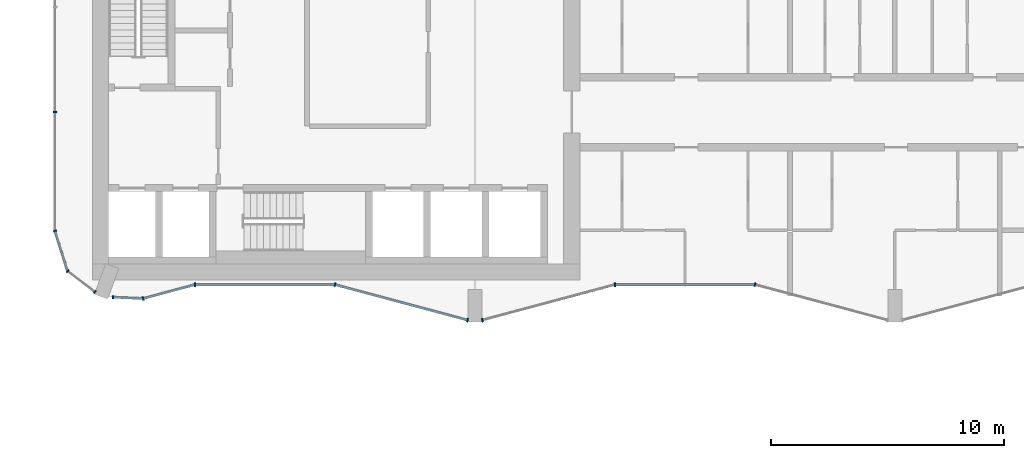
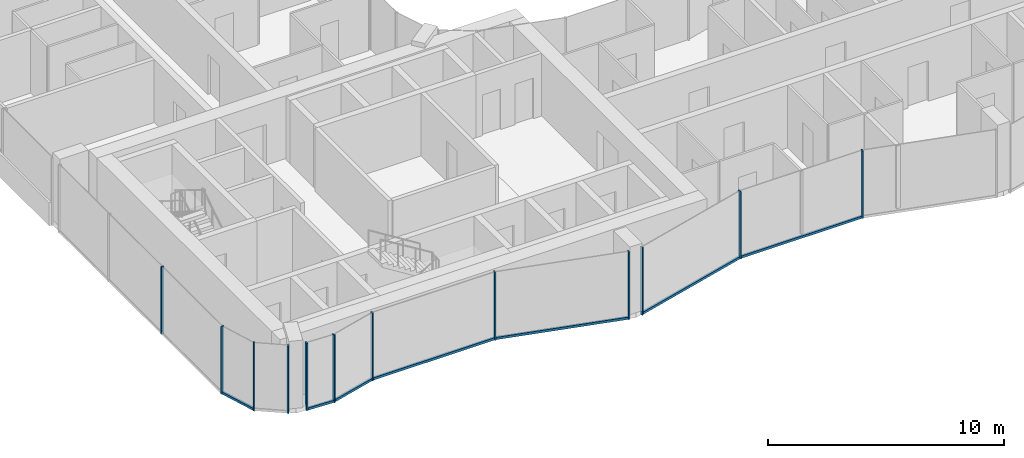
# One storey, part 2 of 23: 19 members, 10 elements without a shape of their own.
"""IFC4 building model written with IfcOpenShell, lengths in metres."""

from ifc_helpers import new_model, si_unit, direction, frame, origin, origin_2d, place, context, subcontext, project, spatial, rectangle, extrude, material, layer, layer_set, material_profile, profile_set, type_object, element, aggregate, save


model = new_model("IFC4")

# Units and contexts
model_context = context("Model", 3, precision=1e-05, world=origin(), true_north=direction((0.0, 1.0)))
body_context = subcontext(model_context, "Body", "Model", "MODEL_VIEW")
ifc_project = project(units=[si_unit("LENGTHUNIT", "METRE"), si_unit("AREAUNIT", "SQUARE_METRE"), si_unit("VOLUMEUNIT", "CUBIC_METRE"), si_unit("PLANEANGLEUNIT", "RADIAN"), si_unit("MASSUNIT", "GRAM", prefix="KILO")], contexts=[model_context])

# Site, building, storey
site_placement = place(None, origin())
site = spatial("IfcSite", under=ifc_project, at=site_placement, CompositionType="ELEMENT")
building_placement = place(site_placement, origin())
building = spatial("IfcBuilding", under=site, at=building_placement, Name="Plateau Cross Towers", CompositionType="ELEMENT")
storey_placement = place(building_placement, frame((0.0, 0.0, 81.800048828125)))
storey = spatial("IfcBuildingStorey", under=building, at=storey_placement, Name="L20", CompositionType="ELEMENT", Elevation=81.800048828125)

# Curtain wall, member
ifc_material_1 = material(Name="Dark low-iron glass", Category="glass")
ifc_layer_1 = layer(ifc_material_1, 0.239990234375)
ifc_layer_set_1 = layer_set([ifc_layer_1], Name="Dark low-iron glass")
curtain_wall_type_1 = type_object("IfcCurtainWallType", Name="Curtain wall flush unitised CW-B", PredefinedType="NOTDEFINED", material=ifc_layer_set_1)
curtain_wall_1_placement = place(storey_placement, origin())
curtain_wall_1 = element("IfcCurtainWall", 1, at=curtain_wall_1_placement, inside=storey, type_object=curtain_wall_type_1, Name="ENV/A/L20/A0_177", PredefinedType="NOTDEFINED")
ifc_material_2 = material(Name="Black anodised aluminium", Category="aluminium")
ifc_material_profile_1 = material_profile(ifc_material_2, rectangle(XDim=0.06005859375, YDim=0.139892578125, at=origin_2d()), Name="MULLION 60x140")
ifc_profile_set_1 = profile_set([ifc_material_profile_1], Name="Black anodised aluminium")
member_type_1 = type_object("IfcMemberType", Name="Mullion 60x140 flush unitised", PredefinedType="MULLION", material=ifc_profile_set_1)
member_1_placement = place(storey_placement, frame((0.0, 9.0, -0.25), z_axis=(0.0, 0.0, 1.0), x_axis=(0.0, -1.0, 0.0)))
member_1 = element("IfcMember", 2, at=member_1_placement, type_object=member_type_1, Name="CW-B mullion 3", PredefinedType="MULLION", context=body_context, shape_type="SweptSolid", body=[
    extrude(rectangle(XDim=0.06005859375, YDim=0.139892578125, at=origin_2d()), origin(), (0.0, 0.0, 1.0), 3.5),
])
aggregate(curtain_wall_1, [member_1])

curtain_wall_2_placement = place(storey_placement, origin())
curtain_wall_2 = element("IfcCurtainWall", 3, at=curtain_wall_2_placement, inside=storey, type_object=curtain_wall_type_1, Name="ENV/A/L20/A0_39", PredefinedType="NOTDEFINED")
member_2_placement = place(storey_placement, frame((0.0, 3.9091796875, -0.25), z_axis=(0.0, 0.0, 1.0), x_axis=(0.300686174994, -0.95372313811, 0.0)))
member_2 = element("IfcMember", 4, at=member_2_placement, type_object=member_type_1, Name="CW-B mullion 1", PredefinedType="MULLION", context=body_context, shape_type="SweptSolid", body=[
    extrude(rectangle(XDim=0.06005859375, YDim=0.139892578125, at=origin_2d()), origin(), (0.0, 0.0, 1.0), 3.5),
])

# Curtain wall, members
curtain_wall_3_placement = place(storey_placement, origin())
curtain_wall_3 = element("IfcCurtainWall", 5, at=curtain_wall_3_placement, inside=storey, type_object=curtain_wall_type_1, Name="ENV/A/L20/A5_22", PredefinedType="NOTDEFINED")
member_3_placement = place(storey_placement, frame((0.54248046875, 2.1884765625, -0.25), z_axis=(0.0, 0.0, 1.0), x_axis=(0.793315514529, -0.608810721331, 0.0)))
member_3 = element("IfcMember", 6, at=member_3_placement, type_object=member_type_1, Name="CW-B mullion 1", PredefinedType="MULLION", context=body_context, shape_type="SweptSolid", body=[
    extrude(rectangle(XDim=0.06005859375, YDim=0.139892578125, at=origin_2d()), origin(), (0.0, 0.0, 1.0), 3.5),
])
member_4_placement = place(storey_placement, frame((1.709716796875, 1.292724609375, -0.25), z_axis=(0.0, 0.0, 1.0), x_axis=(0.793315514529, -0.608810721331, 0.0)))
member_4 = element("IfcMember", 7, at=member_4_placement, type_object=member_type_1, Name="CW-B mullion 2", PredefinedType="MULLION", context=body_context, shape_type="SweptSolid", body=[
    extrude(rectangle(XDim=0.06005859375, YDim=0.139892578125, at=origin_2d()), origin(), (0.0, 0.0, 1.0), 3.5),
])
aggregate(curtain_wall_3, [member_3, member_4])

# Curtain wall, member
curtain_wall_4_placement = place(storey_placement, origin())
curtain_wall_4 = element("IfcCurtainWall", 8, at=curtain_wall_4_placement, inside=storey, type_object=curtain_wall_type_1, Name="ENV/A/L20/A25_11", PredefinedType="NOTDEFINED")
member_5_placement = place(storey_placement, frame((2.483642578125, 1.06787109375, -0.25), z_axis=(0.0, 0.0, 1.0), x_axis=(0.999043701491, -0.043722791671, 0.0)))
member_5 = element("IfcMember", 9, at=member_5_placement, type_object=member_type_1, Name="CW-B mullion 1", PredefinedType="MULLION", context=body_context, shape_type="SweptSolid", body=[
    extrude(rectangle(XDim=0.06005859375, YDim=0.139892578125, at=origin_2d()), origin(), (0.0, 0.0, 1.0), 3.5),
])

ifc_layer_2 = layer(ifc_material_1, 0.260009765625)
ifc_layer_set_2 = layer_set([ifc_layer_2], Name="Dark low-iron glass")
curtain_wall_type_2 = type_object("IfcCurtainWallType", Name="Curtain wall fluted unitised CW-A", PredefinedType="NOTDEFINED", material=ifc_layer_set_2)
curtain_wall_5_placement = place(storey_placement, origin())
curtain_wall_5 = element("IfcCurtainWall", 10, at=curtain_wall_5_placement, inside=storey, type_object=curtain_wall_type_2, Name="ENV/A/L20/A38_10", PredefinedType="NOTDEFINED")
ifc_material_profile_2 = material_profile(ifc_material_2, rectangle(XDim=0.06005859375, YDim=0.159912109375, at=origin_2d()), Name="MULLION 60x160")
ifc_profile_set_2 = profile_set([ifc_material_profile_2], Name="Black anodised aluminium")
member_type_2 = type_object("IfcMemberType", Name="Mullion 60x160 fluted unitised", PredefinedType="MULLION", material=ifc_profile_set_2)
member_6_placement = place(storey_placement, frame((3.776123046875, 1.01123046875, -0.25), z_axis=(0.0, 0.0, 1.0), x_axis=(0.965957962328, 0.258699081978, 0.0)))
member_6 = element("IfcMember", 11, at=member_6_placement, type_object=member_type_2, Name="CW-A mullion 1", PredefinedType="MULLION", context=body_context, shape_type="SweptSolid", body=[
    extrude(rectangle(XDim=0.06005859375, YDim=0.159912109375, at=origin_2d()), origin(), (0.0, 0.0, 1.0), 3.5),
])

curtain_wall_6_placement = place(storey_placement, origin())
curtain_wall_6 = element("IfcCurtainWall", 12, at=curtain_wall_6_placement, inside=storey, type_object=curtain_wall_type_2, Name="ENV/A/L20/A60_16", PredefinedType="NOTDEFINED")
member_7_placement = place(storey_placement, frame((6.0, 1.60693359375, -0.25), z_axis=(0.0, 0.0, 1.0), x_axis=(1.0, 0.0, 0.0)))
member_7 = element("IfcMember", 13, at=member_7_placement, type_object=member_type_2, Name="CW-A mullion 1", PredefinedType="MULLION", context=body_context, shape_type="SweptSolid", body=[
    extrude(rectangle(XDim=0.06005859375, YDim=0.159912109375, at=origin_2d()), origin(), (0.0, 0.0, 1.0), 3.5),
])

# Curtain wall, members
curtain_wall_7_placement = place(storey_placement, origin())
curtain_wall_7 = element("IfcCurtainWall", 14, at=curtain_wall_7_placement, inside=storey, type_object=curtain_wall_type_2, Name="ENV/A/L20/A120_16", PredefinedType="NOTDEFINED")
member_8_placement = place(storey_placement, frame((12.0, 1.60693359375, -0.25), z_axis=(0.0, 0.0, 1.0), x_axis=(0.965957983404, -0.258699003279, 0.0)))
member_8 = element("IfcMember", 15, at=member_8_placement, type_object=member_type_2, Name="CW-A mullion 1", PredefinedType="MULLION", context=body_context, shape_type="SweptSolid", body=[
    extrude(rectangle(XDim=0.06005859375, YDim=0.159912109375, at=origin_2d()), origin(), (0.0, 0.0, 1.0), 3.5),
])
member_9_placement = place(storey_placement, frame((17.68212890625, 0.085205078125, -0.25), z_axis=(0.0, 0.0, 1.0), x_axis=(0.965957983404, -0.258699003279, 0.0)))
member_9 = element("IfcMember", 16, at=member_9_placement, type_object=member_type_2, Name="CW-A mullion 2", PredefinedType="MULLION", context=body_context, shape_type="SweptSolid", body=[
    extrude(rectangle(XDim=0.06005859375, YDim=0.159912109375, at=origin_2d()), origin(), (0.0, 0.0, 1.0), 3.5),
])

# Curtain wall, member
curtain_wall_8_placement = place(storey_placement, origin())
curtain_wall_8 = element("IfcCurtainWall", 17, at=curtain_wall_8_placement, inside=storey, type_object=curtain_wall_type_2, Name="ENV/A/L20/A183_1", PredefinedType="NOTDEFINED")
member_10_placement = place(storey_placement, frame((18.31787109375, 0.085205078125, -0.25), z_axis=(0.0, 0.0, 1.0), x_axis=(0.965957983404, 0.258699003279, 0.0)))
member_10 = element("IfcMember", 18, at=member_10_placement, type_object=member_type_2, Name="CW-A mullion 1", PredefinedType="MULLION", context=body_context, shape_type="SweptSolid", body=[
    extrude(rectangle(XDim=0.06005859375, YDim=0.159912109375, at=origin_2d()), origin(), (0.0, 0.0, 1.0), 3.5),
])

curtain_wall_9_placement = place(storey_placement, origin())
curtain_wall_9 = element("IfcCurtainWall", 19, at=curtain_wall_9_placement, inside=storey, type_object=curtain_wall_type_2, Name="ENV/A/L20/A240_16", PredefinedType="NOTDEFINED")
member_11_placement = place(storey_placement, frame((24.0, 1.60693359375, -0.25), z_axis=(0.0, 0.0, 1.0), x_axis=(1.0, 0.0, 0.0)))
member_11 = element("IfcMember", 20, at=member_11_placement, type_object=member_type_2, Name="CW-A mullion 1", PredefinedType="MULLION", context=body_context, shape_type="SweptSolid", body=[
    extrude(rectangle(XDim=0.06005859375, YDim=0.159912109375, at=origin_2d()), origin(), (0.0, 0.0, 1.0), 3.5),
])

curtain_wall_10_placement = place(storey_placement, origin())
curtain_wall_10 = element("IfcCurtainWall", 21, at=curtain_wall_10_placement, inside=storey, type_object=curtain_wall_type_2, Name="ENV/A/L20/A300_16", PredefinedType="NOTDEFINED")
member_12_placement = place(storey_placement, frame((30.0, 1.60693359375, -0.25), z_axis=(0.0, 0.0, 1.0), x_axis=(0.965957983404, -0.258699003279, 0.0)))
member_12 = element("IfcMember", 22, at=member_12_placement, type_object=member_type_2, Name="CW-A mullion 1", PredefinedType="MULLION", context=body_context, shape_type="SweptSolid", body=[
    extrude(rectangle(XDim=0.06005859375, YDim=0.159912109375, at=origin_2d()), origin(), (0.0, 0.0, 1.0), 3.5),
])
aggregate(curtain_wall_10, [member_12])

# Member
ifc_material_profile_3 = material_profile(ifc_material_2, rectangle(XDim=0.10009765625, YDim=0.1201171875, at=origin_2d()), Name="TRANSOM 100x120")
ifc_profile_set_3 = profile_set([ifc_material_profile_3], Name="Black anodised aluminium")
member_type_3 = type_object("IfcMemberType", Name="Transom 100x120 flush unitised", PredefinedType="USERDEFINED", material=ifc_profile_set_3)
member_13_placement = place(storey_placement, frame((0.0, 3.9091796875, -0.18994140625), z_axis=(0.30067799945, -0.953725715626, 0.0), x_axis=(0.953725715626, 0.30067799945, 0.0)))
member_13 = element("IfcMember", 23, at=member_13_placement, type_object=member_type_3, Name="CW-B transom", ObjectType="TRANSOM", PredefinedType="USERDEFINED", context=body_context, shape_type="SweptSolid", body=[
    extrude(rectangle(XDim=0.10009765625, YDim=0.1201171875, at=origin_2d()), origin(), (0.0, 0.0, 1.0), 1.80419921875),
])

aggregate(curtain_wall_2, [member_2, member_13])

member_14_placement = place(storey_placement, frame((2.483642578125, 1.06787109375, -0.18994140625), z_axis=(0.999041144614, -0.043781175963, 0.0), x_axis=(0.043781175963, 0.999041144614, 0.0)))
member_14 = element("IfcMember", 24, at=member_14_placement, type_object=member_type_3, Name="CW-B transom", ObjectType="TRANSOM", PredefinedType="USERDEFINED", context=body_context, shape_type="SweptSolid", body=[
    extrude(rectangle(XDim=0.10009765625, YDim=0.1201171875, at=origin_2d()), origin(), (0.0, 0.0, 1.0), 1.293701171875),
])

aggregate(curtain_wall_4, [member_5, member_14])

ifc_material_profile_4 = material_profile(ifc_material_2, rectangle(XDim=0.10009765625, YDim=0.1201171875, at=origin_2d()), Name="TRANSOM 100x120")
ifc_profile_set_4 = profile_set([ifc_material_profile_4], Name="Black anodised aluminium")
member_type_4 = type_object("IfcMemberType", Name="Transom 100x120 fluted unitised", PredefinedType="USERDEFINED", material=ifc_profile_set_4)
member_15_placement = place(storey_placement, frame((3.776123046875, 1.01123046875, -0.18994140625), z_axis=(0.965945685136, 0.258744919501, 0.0), x_axis=(-0.258744919501, 0.965945685136, 0.0)))
member_15 = element("IfcMember", 25, at=member_15_placement, type_object=member_type_4, Name="CW-A transom", ObjectType="TRANSOM", PredefinedType="USERDEFINED", context=body_context, shape_type="SweptSolid", body=[
    extrude(rectangle(XDim=0.10009765625, YDim=0.1201171875, at=origin_2d()), origin(), (0.0, 0.0, 1.0), 2.30224609375),
])

aggregate(curtain_wall_5, [member_6, member_15])

member_16_placement = place(storey_placement, frame((6.0, 1.60693359375, -0.18994140625), z_axis=(1.0, 0.0, 0.0), x_axis=(0.0, 1.0, 0.0)))
member_16 = element("IfcMember", 26, at=member_16_placement, type_object=member_type_4, Name="CW-A transom", ObjectType="TRANSOM", PredefinedType="USERDEFINED", context=body_context, shape_type="SweptSolid", body=[
    extrude(rectangle(XDim=0.10009765625, YDim=0.1201171875, at=origin_2d()), origin(), (0.0, 0.0, 1.0), 6.0),
])

aggregate(curtain_wall_6, [member_7, member_16])

member_17_placement = place(storey_placement, frame((12.0, 1.60693359375, -0.18994140625), z_axis=(0.965959534794, -0.258693210465, 0.0), x_axis=(0.258693210465, 0.965959534794, 0.0)))
member_17 = element("IfcMember", 27, at=member_17_placement, type_object=member_type_4, Name="CW-A transom", ObjectType="TRANSOM", PredefinedType="USERDEFINED", context=body_context, shape_type="SweptSolid", body=[
    extrude(rectangle(XDim=0.10009765625, YDim=0.1201171875, at=origin_2d()), origin(), (0.0, 0.0, 1.0), 5.88232421875),
])

aggregate(curtain_wall_7, [member_8, member_9, member_17])

member_18_placement = place(storey_placement, frame((18.31787109375, 0.085205078125, -0.18994140625), z_axis=(0.965959534794, 0.258693210465, 0.0), x_axis=(-0.258693210465, 0.965959534794, 0.0)))
member_18 = element("IfcMember", 28, at=member_18_placement, type_object=member_type_4, Name="CW-A transom", ObjectType="TRANSOM", PredefinedType="USERDEFINED", context=body_context, shape_type="SweptSolid", body=[
    extrude(rectangle(XDim=0.10009765625, YDim=0.1201171875, at=origin_2d()), origin(), (0.0, 0.0, 1.0), 5.88232421875),
])

aggregate(curtain_wall_8, [member_10, member_18])

member_19_placement = place(storey_placement, frame((24.0, 1.60693359375, -0.18994140625), z_axis=(1.0, 0.0, 0.0), x_axis=(0.0, 1.0, 0.0)))
member_19 = element("IfcMember", 29, at=member_19_placement, type_object=member_type_4, Name="CW-A transom", ObjectType="TRANSOM", PredefinedType="USERDEFINED", context=body_context, shape_type="SweptSolid", body=[
    extrude(rectangle(XDim=0.10009765625, YDim=0.1201171875, at=origin_2d()), origin(), (0.0, 0.0, 1.0), 6.0),
])

aggregate(curtain_wall_9, [member_11, member_19])

save(model, "model.ifc")
